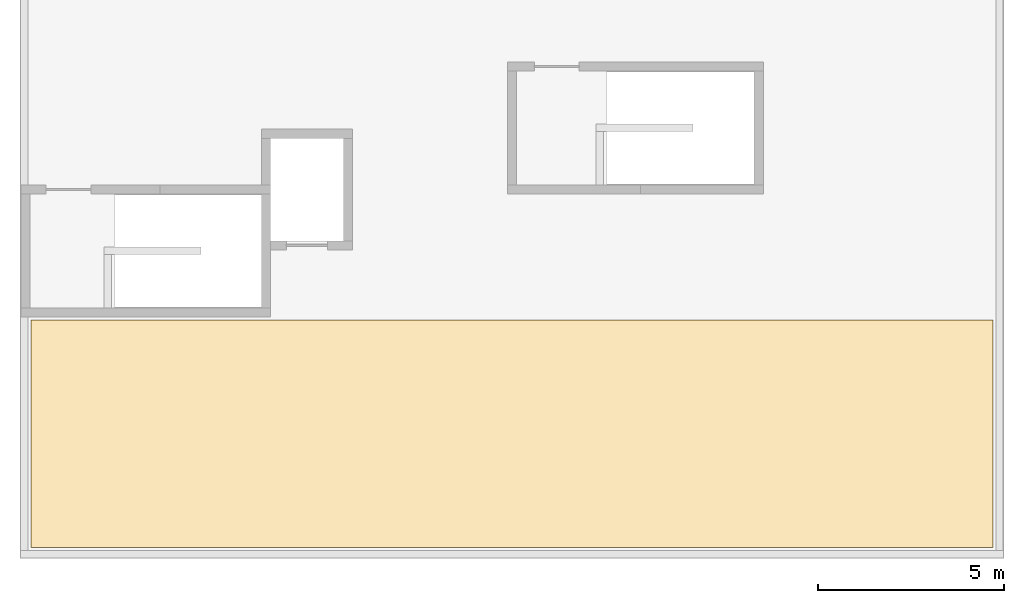
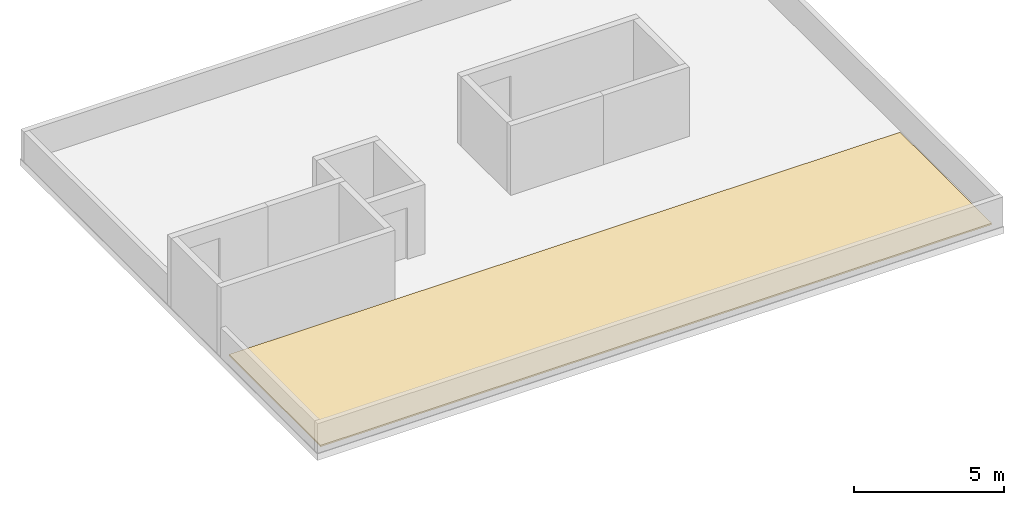
# One storey, part 2 of 2: 1 covering.
"""IFC4 building model written with IfcOpenShell, lengths in metres."""

from ifc_helpers import new_model, si_unit, direction, frame, origin, place, context, subcontext, project, spatial, polyline, outline, extrude, material, layer, layer_set, type_object, element, save


model = new_model("IFC4")

# Units and contexts
model_context = context("Model", 3, precision=1e-05, world=origin(), true_north=direction((0.0, 1.0)))
body_context = subcontext(model_context, "Body", "Model", "MODEL_VIEW")
ifc_project = project(units=[si_unit("LENGTHUNIT", "METRE"), si_unit("AREAUNIT", "SQUARE_METRE"), si_unit("VOLUMEUNIT", "CUBIC_METRE"), si_unit("PLANEANGLEUNIT", "RADIAN"), si_unit("MASSUNIT", "GRAM", prefix="KILO")], contexts=[model_context])

# Site, building, storey
site_placement = place(None, origin())
site = spatial("IfcSite", under=ifc_project, at=site_placement, CompositionType="ELEMENT")
building_placement = place(site_placement, origin())
building = spatial("IfcBuilding", under=site, at=building_placement, Name="Kernevlak Ridge Housing Community", CompositionType="ELEMENT")
storey_placement = place(building_placement, frame((0.0, 0.0, 59.60009765625)))
storey = spatial("IfcBuildingStorey", under=building, at=storey_placement, Name="RF", CompositionType="ELEMENT", Elevation=59.60009765625)

# Covering
ifc_material = material(Name="Cool-white TPO membrane over rigid roof insulation")
ifc_layer = layer(ifc_material, 0.06005859375, Name="Cool-white TPO membrane over rigid roof insulation")
ifc_layer_set = layer_set([ifc_layer], Name="Cool-white TPO membrane over rigid roof insulation")
covering_type = type_object("IfcCoveringType", Name="CV-03", PredefinedType="ROOFING", material=ifc_layer_set)
covering_placement = place(storey_placement, origin())
element("IfcCovering", 1, at=covering_placement, inside=storey, type_object=covering_type, Name="Block A south roof membrane", PredefinedType="ROOFING", context=body_context, shape_type="SweptSolid", body=[
    extrude(outline(polyline([(15.89990234375, 76.300048828125), (41.699951171875, 76.300048828125), (41.699951171875, 82.39990234375), (15.89990234375, 82.39990234375), (15.89990234375, 76.300048828125)])), origin(), (0.0, 0.0, 1.0), 0.059814453125),
])

save(model, "model.ifc")
